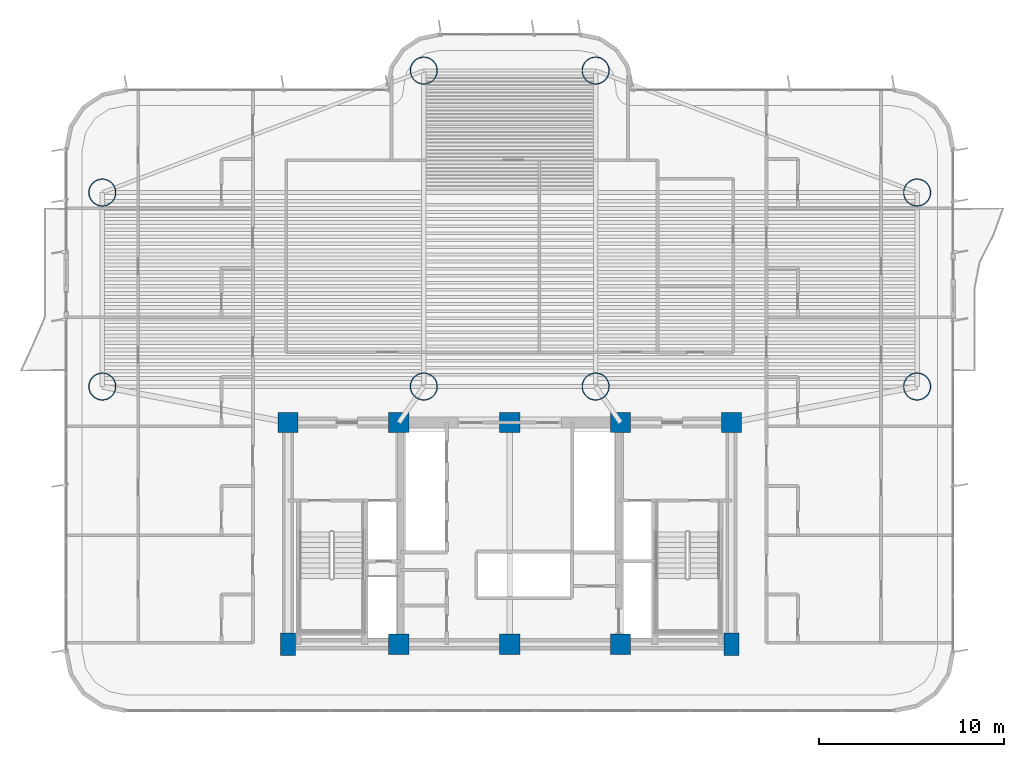
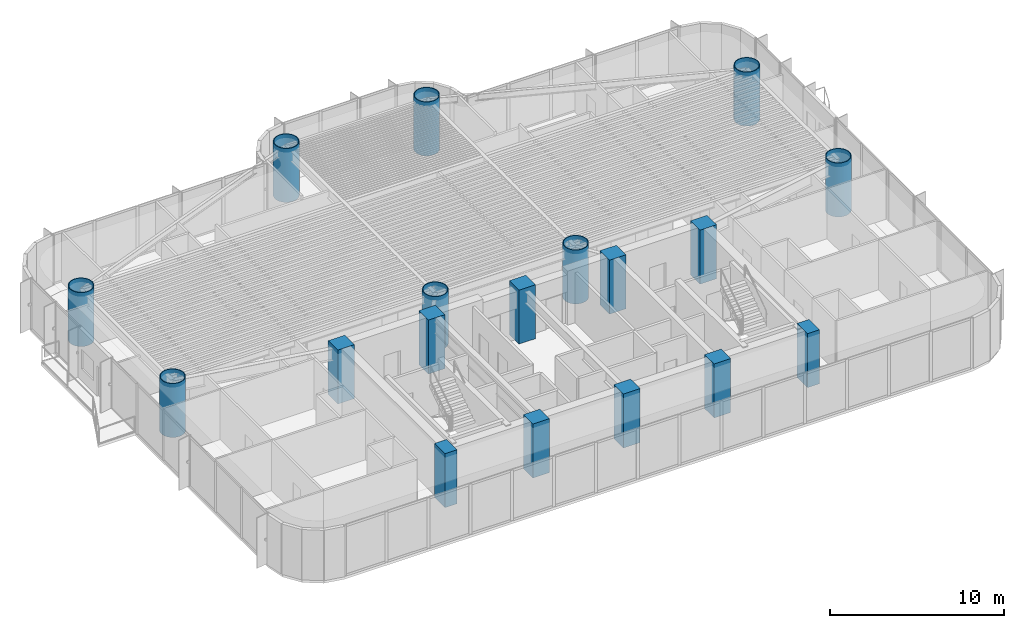
# One storey, part 1 of 18: 18 columns.
"""IFC4 building model written with IfcOpenShell, lengths in metres."""

from ifc_helpers import new_model, si_unit, direction, frame, origin, origin_2d, place, context, subcontext, project, spatial, rectangle, hollow_circle, extrude, source, transform, mapped, material, material_profile, profile_set, type_object, element, save


model = new_model("IFC4")

# Units and contexts
model_context = context("Model", 3, precision=1e-05, world=origin(), true_north=direction((0.0, 1.0)))
body_context = subcontext(model_context, "Body", "Model", "MODEL_VIEW")
ifc_project = project(units=[si_unit("LENGTHUNIT", "METRE"), si_unit("AREAUNIT", "SQUARE_METRE"), si_unit("VOLUMEUNIT", "CUBIC_METRE"), si_unit("PLANEANGLEUNIT", "RADIAN"), si_unit("MASSUNIT", "GRAM", prefix="KILO")], contexts=[model_context])

# Site, building, storey
site_placement = place(None, origin())
site = spatial("IfcSite", under=ifc_project, at=site_placement, CompositionType="ELEMENT")
building_placement = place(site_placement, origin())
building = spatial("IfcBuilding", under=site, at=building_placement, Name="Brelvock Crest Care Tower", CompositionType="ELEMENT")
storey_placement = place(building_placement, frame((0.0, 0.0, 42.1201171875)))
storey = spatial("IfcBuildingStorey", under=building, at=storey_placement, Name="L10", CompositionType="ELEMENT", Elevation=42.1201171875)

# Columns
ifc_material_1 = material(Name="Concrete S80 (80 MPa)", Category="concrete")
ifc_material_profile_1 = material_profile(ifc_material_1, rectangle(XDim=0.800048828125, YDim=1.199951171875, at=origin_2d()), Name="RC800x1200")
ifc_profile_set_1 = profile_set([ifc_material_profile_1], Name="Concrete S80 (80 MPa)")
column_type_1 = type_object("IfcColumnType", Name="COL-RC5", PredefinedType="COLUMN", material=ifc_profile_set_1)
shared_shape_1 = source(origin(), body_context, "Body", "SweptSolid", [
    extrude(rectangle(XDim=0.800048828125, YDim=1.199951171875, at=origin_2d()), origin(), (0.0, 0.0, 1.0), 3.77978515625),
])
for number, where, z_axis, x_axis, name in (
    (1, (24.0, 6.0, 0.0), (0.0, 0.0, 1.0), (1.0, 0.0, 0.0), "L10 Core Column CC-01"),
    (2, (48.0, 6.0, 0.0), (0.0, 0.0, 1.0), (1.0, 0.0, 0.0), "L10 Core Column CC-05"),
):
    element("IfcColumn", number, at=place(storey_placement, frame(where, z_axis=z_axis, x_axis=x_axis)), inside=storey, type_object=column_type_1, Name=name, PredefinedType="COLUMN", context=body_context, shape_type="MappedRepresentation", body=[
        mapped(shared_shape_1, transform((0.0, 0.0, 0.0), x_axis=(1.0, 0.0, 0.0), y_axis=(0.0, 1.0, 0.0), z_axis=(0.0, 0.0, 1.0), scale=1.0)),
    ])
ifc_material_profile_2 = material_profile(ifc_material_1, rectangle(XDim=1.10009765625, YDim=1.10009765625, at=origin_2d()), Name="RC1100x1100")
ifc_profile_set_2 = profile_set([ifc_material_profile_2], Name="Concrete S80 (80 MPa)")
column_type_2 = type_object("IfcColumnType", Name="COL-RC1", PredefinedType="COLUMN", material=ifc_profile_set_2)
shared_shape_2 = source(origin(), body_context, "Body", "SweptSolid", [
    extrude(rectangle(XDim=1.10009765625, YDim=1.10009765625, at=origin_2d()), origin(), (0.0, 0.0, 1.0), 3.77978515625),
])
for number, where, z_axis, x_axis, name in (
    (3, (30.0, 6.0, 0.0), (0.0, 0.0, 1.0), (1.0, 0.0, 0.0), "L10 Core Column CC-02"),
    (4, (36.0, 6.0, 0.0), (0.0, 0.0, 1.0), (1.0, 0.0, 0.0), "L10 Core Column CC-03"),
    (5, (42.0, 6.0, 0.0), (0.0, 0.0, 1.0), (1.0, 0.0, 0.0), "L10 Core Column CC-04"),
    (6, (24.0, 18.0, 0.0), (0.0, 0.0, 1.0), (1.0, 0.0, 0.0), "L10 Core Column CC-06"),
    (7, (30.0, 18.0, 0.0), (0.0, 0.0, 1.0), (1.0, 0.0, 0.0), "L10 Core Column CC-07"),
    (8, (36.0, 18.0, 0.0), (0.0, 0.0, 1.0), (1.0, 0.0, 0.0), "L10 Core Column CC-08"),
    (9, (42.0, 18.0, 0.0), (0.0, 0.0, 1.0), (1.0, 0.0, 0.0), "L10 Core Column CC-09"),
    (10, (48.0, 18.0, 0.0), (0.0, 0.0, 1.0), (1.0, 0.0, 0.0), "L10 Core Column CC-10"),
):
    element("IfcColumn", number, at=place(storey_placement, frame(where, z_axis=z_axis, x_axis=x_axis)), inside=storey, type_object=column_type_2, Name=name, PredefinedType="COLUMN", context=body_context, shape_type="MappedRepresentation", body=[
        mapped(shared_shape_2, transform((0.0, 0.0, 0.0), x_axis=(1.0, 0.0, 0.0), y_axis=(0.0, 1.0, 0.0), z_axis=(0.0, 0.0, 1.0), scale=1.0)),
    ])
ifc_material_2 = material(Name="Steel Grade 350", Category="steel")
ifc_material_profile_3 = material_profile(ifc_material_2, hollow_circle(Radius=0.75, WallThickness=0.050048828125, at=origin_2d()), Name="CFT1500x50")
ifc_profile_set_3 = profile_set([ifc_material_profile_3], Name="Steel Grade 350")
column_type_3 = type_object("IfcColumnType", Name="COL-MC1", PredefinedType="COLUMN", material=ifc_profile_set_3)
shared_shape_3 = source(origin(), body_context, "Body", "SweptSolid", [
    extrude(hollow_circle(Radius=0.75, WallThickness=0.050048828125, at=origin_2d()), origin(), (0.0, 0.0, 1.0), 3.77978515625),
])
for number, where, z_axis, x_axis, name in (
    (11, (13.949951171875, 19.949951171875, 0.0), (0.0, 0.0, 1.0), (1.0, 0.0, 0.0), "L10 Tower Column M1"),
    (12, (13.949951171875, 30.449951171875, 0.0), (0.0, 0.0, 1.0), (1.0, 0.0, 0.0), "L10 Tower Column M2"),
    (13, (58.050048828125, 19.949951171875, 0.0), (0.0, 0.0, 1.0), (1.0, 0.0, 0.0), "L10 Tower Column M3"),
    (14, (58.050048828125, 30.449951171875, 0.0), (0.0, 0.0, 1.0), (1.0, 0.0, 0.0), "L10 Tower Column M4"),
    (15, (31.35009765625, 19.949951171875, 0.0), (0.0, 0.0, 1.0), (1.0, 0.0, 0.0), "L10 Tower Column M5"),
    (16, (40.64990234375, 19.949951171875, 0.0), (0.0, 0.0, 1.0), (1.0, 0.0, 0.0), "L10 Tower Column M6"),
    (17, (31.35009765625, 37.050048828125, 0.0), (0.0, 0.0, 1.0), (1.0, 0.0, 0.0), "L10 Tower Column M7"),
    (18, (40.64990234375, 37.050048828125, 0.0), (0.0, 0.0, 1.0), (1.0, 0.0, 0.0), "L10 Tower Column M8"),
):
    element("IfcColumn", number, at=place(storey_placement, frame(where, z_axis=z_axis, x_axis=x_axis)), inside=storey, type_object=column_type_3, Name=name, PredefinedType="COLUMN", context=body_context, shape_type="MappedRepresentation", body=[
        mapped(shared_shape_3, transform((0.0, 0.0, 0.0), x_axis=(1.0, 0.0, 0.0), y_axis=(0.0, 1.0, 0.0), z_axis=(0.0, 0.0, 1.0), scale=1.0)),
    ])

save(model, "model.ifc")
